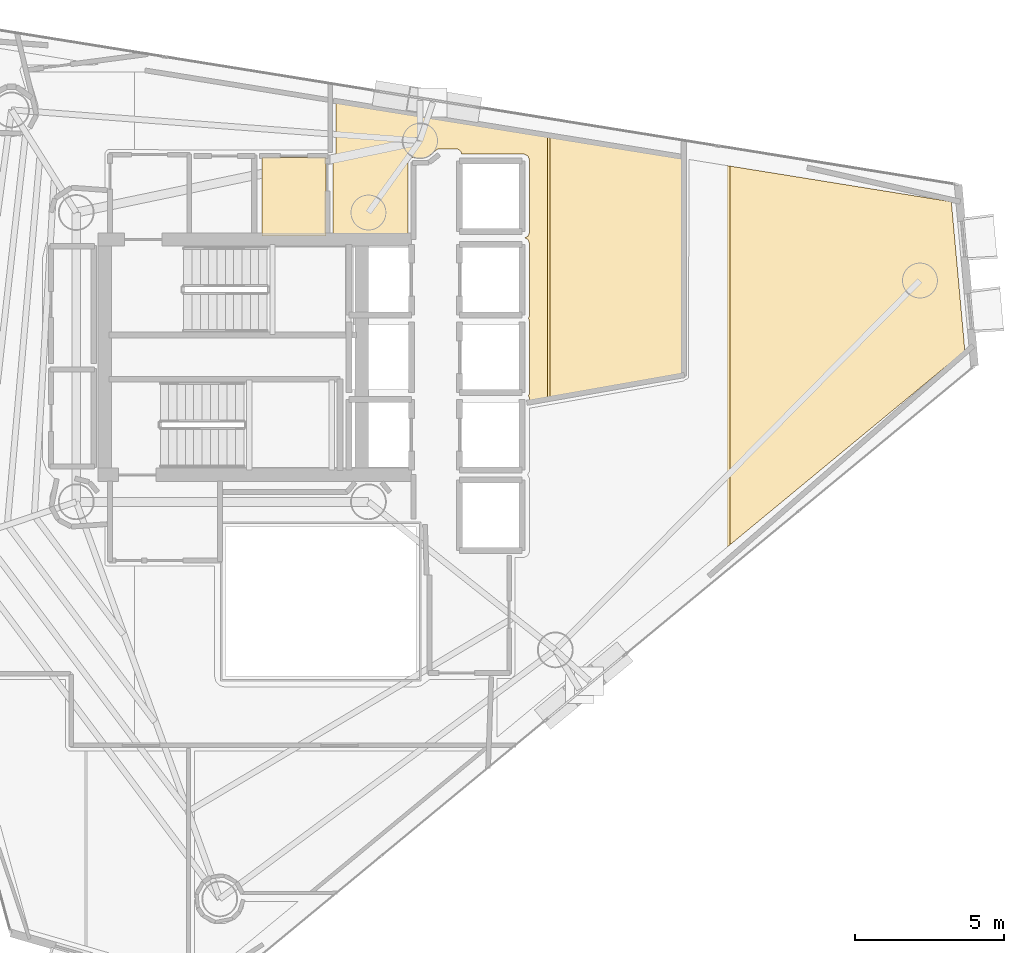
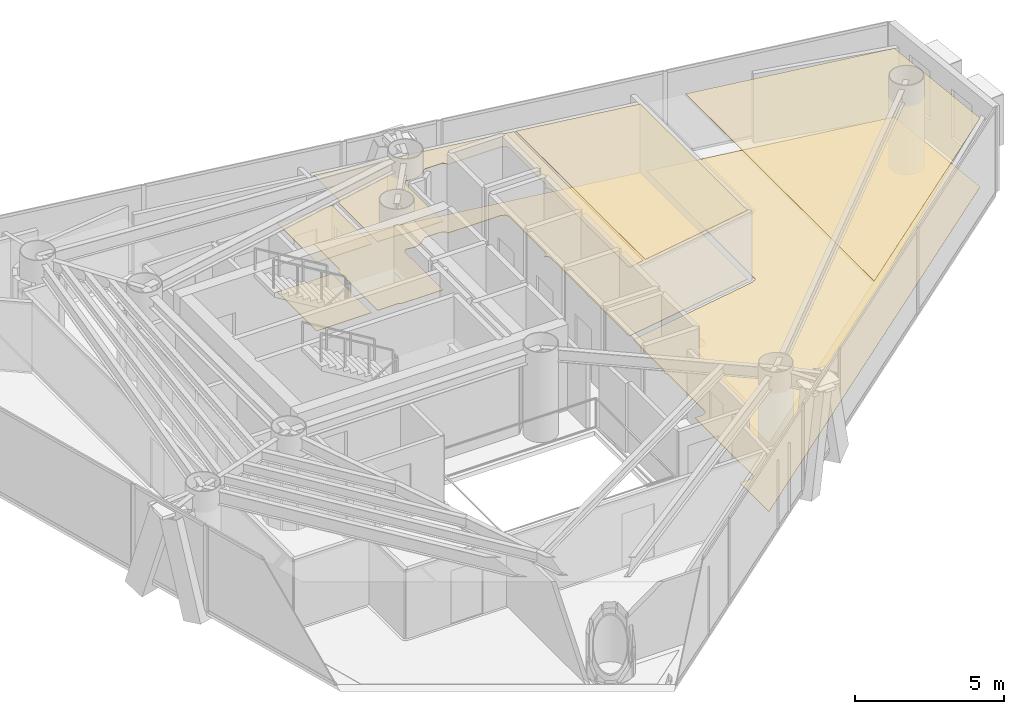
# One storey, part 21 of 21: 7 coverings.
"""IFC4 building model written with IfcOpenShell, lengths in metres."""

import ifcopenshell
import ifcopenshell.guid

model = None  # the IFC model being written
_history = None  # IfcOwnerHistory: only IFC2X3 demands one
_inside = {}  # id of a spatial element -> (the spatial element, [elements in it])
_under = {}  # id of a project, library or spatial element -> (it, [spatial elements below it])
_declared = {}  # id of a project -> (the project, [libraries it declares])
_typed = {}  # id of a type object -> (the type object, [elements of that type])
_made_of = {}  # id of a material, layer set ... -> (it, [elements and type objects made of it])


def new_model(schema):
    """Start an empty IFC model of exactly this schema.

    Asked for "IFC4X3", IfcOpenShell would pick the latest addendum, in which some entities
    have other attributes; the version numbers below select the first issue.
    IFC2X3 requires an IfcOwnerHistory on every rooted entity: one is made here for all.
    """
    global model, _history
    if schema == "IFC4X3":
        model = ifcopenshell.file(schema_version=(4, 3, 0, 0))
    else:
        model = ifcopenshell.file(schema=schema)
    _inside.clear()
    _under.clear()
    _declared.clear()
    _typed.clear()
    _made_of.clear()
    _history = None
    if model.schema == "IFC2X3":
        org = make("IfcOrganization", Name="unknown")
        user = make(
            "IfcPersonAndOrganization",
            ThePerson=make("IfcPerson", FamilyName="unknown"),
            TheOrganization=org,
        )
        app = make(
            "IfcApplication",
            ApplicationDeveloper=org,
            Version="unknown",
            ApplicationFullName="unknown",
            ApplicationIdentifier="unknown",
        )
        _history = make(
            "IfcOwnerHistory",
            OwningUser=user,
            OwningApplication=app,
            ChangeAction="ADDED",
            CreationDate=0,
        )
    return model


def make(cls, **values):
    """One entity of the class cls with the attributes given. An attribute that is None is left unset."""
    return model.create_entity(
        cls, **{name: value for name, value in values.items() if value is not None}
    )


def rooted(cls, **values):
    """An entity with a GlobalId (a new one), such as an element, a storey or a relation."""
    return make(cls, GlobalId=ifcopenshell.guid.new(), OwnerHistory=_history, **values)


def si_unit(unit_type, name, prefix=None):
    """IfcSIUnit, for example si_unit("LENGTHUNIT", "METRE", prefix="MILLI")."""
    return make("IfcSIUnit", UnitType=unit_type, Prefix=prefix, Name=name)


def assignment(units):
    """IfcUnitAssignment: the units of a project."""
    return None if units is None else make("IfcUnitAssignment", Units=units)


def point(xyz):
    """IfcCartesianPoint."""
    return None if xyz is None else make("IfcCartesianPoint", Coordinates=xyz)


def direction(xyz):
    """IfcDirection."""
    return None if xyz is None else make("IfcDirection", DirectionRatios=xyz)


def frame(location, z_axis=None, x_axis=None):
    """IfcAxis2Placement3D, a coordinate frame: its origin and axes. An axis left out is left unset."""
    return make(
        "IfcAxis2Placement3D",
        Location=point(location),
        Axis=direction(z_axis),
        RefDirection=direction(x_axis),
    )


def origin():
    """The frame at (0, 0, 0) with its axes left unset."""
    return frame((0.0, 0.0, 0.0))


def place(relative_to, where):
    """IfcLocalPlacement: puts the frame where relative to a parent placement (None: the world)."""
    return make(
        "IfcLocalPlacement", PlacementRelTo=relative_to, RelativePlacement=where
    )


def context(
    kind, dimensions, precision=None, world=None, true_north=None, identifier=None
):
    """IfcGeometricRepresentationContext, for example the 3D "Model" context."""
    return make(
        "IfcGeometricRepresentationContext",
        ContextIdentifier=identifier,
        ContextType=kind,
        CoordinateSpaceDimension=dimensions,
        Precision=precision,
        WorldCoordinateSystem=world,
        TrueNorth=true_north,
    )


def subcontext(parent, identifier, kind, view, scale=None):
    """IfcGeometricRepresentationSubContext, for example "Body" below "Model"."""
    return make(
        "IfcGeometricRepresentationSubContext",
        ContextIdentifier=identifier,
        ContextType=kind,
        ParentContext=parent,
        TargetScale=scale,
        TargetView=view,
    )


def project(units=None, contexts=None):
    """IfcProject with its units and contexts."""
    return rooted(
        "IfcProject",
        Name="project",
        RepresentationContexts=contexts,
        UnitsInContext=assignment(units),
    )


def spatial(cls, under=None, at=None, **own):
    """A site, building, storey or space (cls), placed at a placement, below another one or the project."""
    s = rooted(cls, ObjectPlacement=at, **own)
    if under is not None:
        _under.setdefault(under.id(), (under, []))[1].append(s)
    return s


def polyline(points):
    """IfcPolyline through the points."""
    return make("IfcPolyline", Points=[point(p) for p in points])


def outline(outer, holes=None, kind="AREA"):
    """IfcArbitraryClosedProfileDef: a profile drawn as a closed curve; with holes, ...WithVoids."""
    if holes is None:
        return make("IfcArbitraryClosedProfileDef", ProfileType=kind, OuterCurve=outer)
    return make(
        "IfcArbitraryProfileDefWithVoids",
        ProfileType=kind,
        OuterCurve=outer,
        InnerCurves=holes,
    )


def extrude(swept, where, along, depth):
    """IfcExtrudedAreaSolid: the profile swept, set in the frame where, extruded along a direction by depth."""
    return make(
        "IfcExtrudedAreaSolid",
        SweptArea=swept,
        Position=where,
        ExtrudedDirection=direction(along),
        Depth=depth,
    )


def shape(context_of_items, identifier, shape_type, items):
    """IfcShapeRepresentation: the items that make up one representation, for example the "Body"."""
    return make(
        "IfcShapeRepresentation",
        ContextOfItems=context_of_items,
        RepresentationIdentifier=identifier,
        RepresentationType=shape_type,
        Items=items,
    )


def material(Name=None, Category=None):
    """IfcMaterial."""
    return make("IfcMaterial", Name=Name, Category=Category)


def layer(
    of_material, thickness, ventilated=None, Name=None, Category=None, Priority=None
):
    """IfcMaterialLayer: one layer of a wall or slab, of a material (None: an air gap)."""
    return make(
        "IfcMaterialLayer",
        Material=of_material,
        LayerThickness=thickness,
        IsVentilated=ventilated,
        Name=Name,
        Category=Category,
        Priority=Priority,
    )


def layer_set(layers, Name=None):
    """IfcMaterialLayerSet."""
    return make("IfcMaterialLayerSet", MaterialLayers=layers, LayerSetName=Name)


def made_of(thing, what):
    """Note that an element or type object is made of a material, layer set ...; save() writes the relation."""
    if what is not None:
        _made_of.setdefault(what.id(), (what, []))[1].append(thing)
    return thing


def type_object(cls, material=None, **own):
    """A type object (cls), such as IfcWallType, which elements share."""
    return made_of(rooted(cls, **own), material)


def element(
    cls,
    number,
    at=None,
    inside=None,
    cuts=None,
    type_object=None,
    material=None,
    context=None,
    identifier="Body",
    shape_type=None,
    held_by="IfcProductDefinitionShape",
    body=None,
    shapes=None,
    **own,
):
    """One element of the class cls, such as IfcWall. Its Tag is "e" and its number.

    at: its placement. inside: the storey or other place that contains it. cuts: it is an
    opening in that element (IfcRelVoidsElement). A single representation is given by context,
    identifier, shape_type and body (its items); several are given by shapes. held_by: the class
    of the entity that holds the representations. save() writes the other relations.
    """
    e = rooted(cls, Tag="e%d" % number, ObjectPlacement=at, **own)
    if body is not None:
        shapes = [shape(context, identifier, shape_type, body)]
    if shapes is not None:
        e.Representation = make(held_by, Representations=shapes)
    if inside is not None:
        _inside.setdefault(inside.id(), (inside, []))[1].append(e)
    if cuts is not None:
        rooted(
            "IfcRelVoidsElement", RelatingBuildingElement=cuts, RelatedOpeningElement=e
        )
    if type_object is not None:
        _typed.setdefault(type_object.id(), (type_object, []))[1].append(e)
    return made_of(e, material)


def aggregate(whole, parts):
    """IfcRelAggregates: a whole, such as a stair, and the parts it consists of."""
    return rooted("IfcRelAggregates", RelatingObject=whole, RelatedObjects=parts)


def save(model, path):
    """Write the relations noted so far, then the file.

    IfcRelAggregates (storeys below a building ...), IfcRelContainedInSpatialStructure (elements
    in a storey), IfcRelDefinesByType, IfcRelAssociatesMaterial and IfcRelDeclares: one each for
    every whole, place, type object, material and project.
    """
    for whole, parts in _under.values():
        aggregate(whole, parts)
    for where, things in _inside.values():
        rooted(
            "IfcRelContainedInSpatialStructure",
            RelatedElements=things,
            RelatingStructure=where,
        )
    for kind, things in _typed.values():
        rooted("IfcRelDefinesByType", RelatedObjects=things, RelatingType=kind)
    for what, things in _made_of.values():
        rooted("IfcRelAssociatesMaterial", RelatedObjects=things, RelatingMaterial=what)
    for by, libraries in _declared.values():
        rooted("IfcRelDeclares", RelatingContext=by, RelatedDefinitions=libraries)
    model.write(path)


model = new_model("IFC4")

# Units and contexts
model_context = context("Model", 3, precision=1e-05, world=origin(), true_north=direction((0.0, 1.0)))
body_context = subcontext(model_context, "Body", "Model", "MODEL_VIEW")
ifc_project = project(units=[si_unit("LENGTHUNIT", "METRE"), si_unit("AREAUNIT", "SQUARE_METRE"), si_unit("VOLUMEUNIT", "CUBIC_METRE"), si_unit("PLANEANGLEUNIT", "RADIAN"), si_unit("MASSUNIT", "GRAM", prefix="KILO")], contexts=[model_context])

# Site, building, storey
site_placement = place(None, origin())
site = spatial("IfcSite", under=ifc_project, at=site_placement, CompositionType="ELEMENT")
building_placement = place(site_placement, origin())
building = spatial("IfcBuilding", under=site, at=building_placement, Name="Qianvela Tower", CompositionType="ELEMENT")
storey_placement = place(building_placement, frame((0.0, 0.0, 211.39990234375)))
storey = spatial("IfcBuildingStorey", under=building, at=storey_placement, Name="L54", CompositionType="ELEMENT", Elevation=211.39990234375)

# Coverings
ifc_material_1 = material(Name="Perforated Mineral Acoustic Ceiling Tile")
ifc_layer_1 = layer(ifc_material_1, 0.02490234375)
ifc_layer_set_1 = layer_set([ifc_layer_1], Name="Perforated Mineral Acoustic Ceiling Tile")
covering_type_1 = type_object("IfcCoveringType", Name="COV-CEIL-ACOUSTIC-25", PredefinedType="CEILING", material=ifc_layer_set_1)
covering_1_placement = place(storey_placement, frame((0.0, 0.0, 2.815185546875)))
element("IfcCovering", 1, at=covering_1_placement, inside=storey, type_object=covering_type_1, Name="L54 Acoustic Ceiling L54 Core Tea Pantry", PredefinedType="CEILING", context=body_context, shape_type="SweptSolid", body=[
    extrude(outline(polyline([(36.969970703125, 32.760009765625), (34.830078125, 32.760009765625), (34.830078125, 35.39990234375), (36.969970703125, 35.39990234375), (36.969970703125, 32.760009765625)])), origin(), (0.0, 0.0, 1.0), 0.02490234375),
])
covering_2_placement = place(storey_placement, frame((0.0, 0.0, 2.815185546875)))
element("IfcCovering", 2, at=covering_2_placement, inside=storey, type_object=covering_type_1, Name="L54 Acoustic Ceiling Bay 1 Shared Communal Kitchen L54-03", PredefinedType="CEILING", context=body_context, shape_type="SweptSolid", body=[
    extrude(outline(polyline([(43.722412109375, 32.739013671875), (43.729248046875, 32.74267578125), (43.73583984375, 32.746826171875), (43.741943359375, 32.751953125), (43.74755859375, 32.757568359375), (43.75244140625, 32.763427734375), (43.7568359375, 32.77001953125), (43.760498046875, 32.777099609375), (43.763427734375, 32.7841796875), (43.79541015625, 32.873046875), (43.7978515625, 32.8818359375), (43.799560546875, 32.890869140625), (43.800048828125, 32.89990234375), (43.800048828125, 35.300048828125), (43.799560546875, 35.30908203125), (43.7978515625, 35.318115234375), (43.79541015625, 35.326904296875), (43.763427734375, 35.415771484375), (43.760498046875, 35.423095703125), (43.7568359375, 35.429931640625), (43.75244140625, 35.4365234375), (43.74755859375, 35.4423828125), (43.741943359375, 35.447998046875), (43.73583984375, 35.453125), (43.729248046875, 35.45751953125), (43.722412109375, 35.461181640625), (43.6142578125, 35.51220703125), (43.607666015625, 35.51513671875), (43.60107421875, 35.51708984375), (43.593994140625, 35.518798828125), (43.587158203125, 35.519775390625), (43.580078125, 35.52001953125), (41.515625, 35.52001953125), (41.513916015625, 35.554931640625), (41.512939453125, 35.563232421875), (41.51123046875, 35.5712890625), (41.508544921875, 35.5791015625), (41.50537109375, 35.5869140625), (41.501220703125, 35.593994140625), (41.496337890625, 35.6005859375), (41.49072265625, 35.60693359375), (41.484619140625, 35.612548828125), (41.426513671875, 35.660400390625), (41.420166015625, 35.6650390625), (41.413330078125, 35.6689453125), (41.40625, 35.67236328125), (41.39892578125, 35.675048828125), (41.391357421875, 35.677001953125), (41.383544921875, 35.677978515625), (41.375732421875, 35.678466796875), (40.750244140625, 35.679931640625), (40.742919921875, 35.6796875), (40.7353515625, 35.6787109375), (40.728271484375, 35.677001953125), (40.72119140625, 35.674560546875), (40.71435546875, 35.671630859375), (40.7080078125, 35.668212890625), (40.701904296875, 35.663818359375), (40.361083984375, 35.406982421875), (40.127685546875, 35.360595703125), (39.859375, 35.396484375), (39.85107421875, 35.397216796875), (39.843017578125, 35.397216796875), (39.8349609375, 35.396240234375), (39.826904296875, 35.394287109375), (39.819091796875, 35.391845703125), (39.811767578125, 35.388427734375), (39.8046875, 35.38427734375), (39.798095703125, 35.37939453125), (39.7919921875, 35.3740234375), (39.78662109375, 35.367919921875), (39.78173828125, 35.361328125), (39.733154296875, 35.287841796875), (39.729248046875, 35.28125), (39.72607421875, 35.274169921875), (39.723388671875, 35.266845703125), (39.721435546875, 35.25927734375), (39.720458984375, 35.25146484375), (39.719970703125, 35.243896484375), (39.719970703125, 32.719970703125), (38.126953125, 32.719970703125), (38.051025390625, 32.760009765625), (38.0439453125, 32.763427734375), (38.03662109375, 32.765869140625), (38.029296875, 32.767822265625), (38.021484375, 32.768798828125), (38.013916015625, 32.769287109375), (37.2099609375, 32.77001953125), (37.2099609375, 35.4150390625), (37.210693359375, 35.4150390625), (37.218505859375, 35.417236328125), (37.226318359375, 35.420166015625), (37.233642578125, 35.423583984375), (37.240478515625, 35.42822265625), (37.2470703125, 35.433349609375), (37.2529296875, 35.43896484375), (37.25830078125, 35.4453125), (37.262939453125, 35.4521484375), (37.298095703125, 35.510986328125), (37.301513671875, 35.517333984375), (37.304443359375, 35.52392578125), (37.306640625, 35.53076171875), (37.308349609375, 35.537841796875), (37.309326171875, 35.544921875), (37.3095703125, 35.552001953125), (37.31005859375, 37.237548828125), (44.408203125, 36.093994140625), (44.408203125, 27.342041015625), (43.798583984375, 27.234619140625), (43.79736328125, 27.32861328125), (43.796875, 27.336181640625), (43.795654296875, 27.34375), (43.793701171875, 27.351318359375), (43.791015625, 27.3583984375), (43.78759765625, 27.365478515625), (43.7666015625, 27.404296875), (43.793701171875, 27.468994140625), (43.79638671875, 27.476318359375), (43.79833984375, 27.484130859375), (43.799560546875, 27.491943359375), (43.800048828125, 27.5), (43.800048828125, 29.89990234375), (43.799560546875, 29.907958984375), (43.79833984375, 29.915771484375), (43.79638671875, 29.923583984375), (43.793701171875, 29.93115234375), (43.7646484375, 30.0), (43.793701171875, 30.06884765625), (43.79638671875, 30.076416015625), (43.79833984375, 30.084228515625), (43.799560546875, 30.092041015625), (43.800048828125, 30.10009765625), (43.800048828125, 32.5), (43.799560546875, 32.509033203125), (43.7978515625, 32.518310546875), (43.79541015625, 32.527099609375), (43.763427734375, 32.61572265625), (43.760498046875, 32.623046875), (43.7568359375, 32.6298828125), (43.75244140625, 32.636474609375), (43.74755859375, 32.642578125), (43.741943359375, 32.648193359375), (43.73583984375, 32.653076171875), (43.729248046875, 32.657470703125), (43.722412109375, 32.6611328125), (43.640380859375, 32.699951171875), (43.722412109375, 32.739013671875)])), origin(), (0.0, 0.0, 1.0), 0.02490234375),
])
covering_3_placement = place(storey_placement, frame((0.0, 0.0, 2.815185546875)))
element("IfcCovering", 3, at=covering_3_placement, inside=storey, type_object=covering_type_1, Name="L54 Acoustic Ceiling Bay 2 Shared Communal Kitchen L54-03", PredefinedType="CEILING", context=body_context, shape_type="SweptSolid", body=[
    extrude(outline(polyline([(48.924072265625, 35.3662109375), (48.924072265625, 28.13818359375), (44.48828125, 27.356201171875), (44.48828125, 36.0810546875), (48.924072265625, 35.3662109375)])), origin(), (0.0, 0.0, 1.0), 0.02490234375),
])
covering_4_placement = place(storey_placement, frame((0.0, 0.0, 2.815185546875)))
element("IfcCovering", 4, at=covering_4_placement, inside=storey, type_object=covering_type_1, Name="L54 Acoustic Ceiling Bay 2 Social Galley Kitchen L54-06", PredefinedType="CEILING", context=body_context, shape_type="SweptSolid", body=[
    extrude(outline(polyline([(57.94921875, 33.912109375), (58.402099609375, 28.9130859375), (50.52978515625, 22.4111328125), (50.52978515625, 35.107666015625), (57.94921875, 33.912109375)])), origin(), (0.0, 0.0, 1.0), 0.02490234375),
])
ifc_material_2 = material(Name="Engineered Acoustic Oak Timber Flooring", Category="wood")
ifc_layer_2 = layer(ifc_material_2, 0.02001953125)
ifc_layer_set_2 = layer_set([ifc_layer_2], Name="Engineered Acoustic Oak Timber Flooring")
covering_type_2 = type_object("IfcCoveringType", Name="COV-FLOOR-OAK-20", PredefinedType="FLOORING", material=ifc_layer_set_2)
covering_5_placement = place(storey_placement, origin())
element("IfcCovering", 5, at=covering_5_placement, inside=storey, type_object=covering_type_2, Name="L54 Finish Flooring L54 Core Tea Pantry", PredefinedType="FLOORING", context=body_context, shape_type="SweptSolid", body=[
    extrude(outline(polyline([(36.969970703125, 32.760009765625), (34.830078125, 32.760009765625), (34.830078125, 35.39990234375), (36.969970703125, 35.39990234375), (36.969970703125, 32.760009765625)])), origin(), (0.0, 0.0, 1.0), 0.02001953125),
])
covering_6_placement = place(storey_placement, origin())
element("IfcCovering", 6, at=covering_6_placement, inside=storey, type_object=covering_type_2, Name="L54 Finish Flooring Shared Communal Kitchen L54-03", PredefinedType="FLOORING", context=body_context, shape_type="SweptSolid", body=[
    extrude(outline(polyline([(43.640380859375, 32.699951171875), (43.722412109375, 32.739013671875), (43.729248046875, 32.74267578125), (43.73583984375, 32.746826171875), (43.741943359375, 32.751953125), (43.74755859375, 32.757568359375), (43.75244140625, 32.763427734375), (43.7568359375, 32.77001953125), (43.760498046875, 32.777099609375), (43.763427734375, 32.7841796875), (43.79541015625, 32.873046875), (43.7978515625, 32.8818359375), (43.799560546875, 32.890869140625), (43.800048828125, 32.89990234375), (43.800048828125, 35.300048828125), (43.799560546875, 35.30908203125), (43.7978515625, 35.318115234375), (43.79541015625, 35.326904296875), (43.763427734375, 35.415771484375), (43.760498046875, 35.423095703125), (43.7568359375, 35.429931640625), (43.75244140625, 35.4365234375), (43.74755859375, 35.4423828125), (43.741943359375, 35.447998046875), (43.73583984375, 35.453125), (43.729248046875, 35.45751953125), (43.722412109375, 35.461181640625), (43.6142578125, 35.51220703125), (43.607666015625, 35.51513671875), (43.60107421875, 35.51708984375), (43.593994140625, 35.518798828125), (43.587158203125, 35.519775390625), (43.580078125, 35.52001953125), (41.515625, 35.52001953125), (41.513916015625, 35.554931640625), (41.512939453125, 35.563232421875), (41.51123046875, 35.5712890625), (41.508544921875, 35.5791015625), (41.50537109375, 35.5869140625), (41.501220703125, 35.593994140625), (41.496337890625, 35.6005859375), (41.49072265625, 35.60693359375), (41.484619140625, 35.612548828125), (41.426513671875, 35.660400390625), (41.420166015625, 35.6650390625), (41.413330078125, 35.6689453125), (41.40625, 35.67236328125), (41.39892578125, 35.675048828125), (41.391357421875, 35.677001953125), (41.383544921875, 35.677978515625), (41.375732421875, 35.678466796875), (40.750244140625, 35.679931640625), (40.742919921875, 35.6796875), (40.7353515625, 35.6787109375), (40.728271484375, 35.677001953125), (40.72119140625, 35.674560546875), (40.71435546875, 35.671630859375), (40.7080078125, 35.668212890625), (40.701904296875, 35.663818359375), (40.361083984375, 35.406982421875), (40.127685546875, 35.360595703125), (39.859375, 35.396484375), (39.85107421875, 35.397216796875), (39.843017578125, 35.397216796875), (39.8349609375, 35.396240234375), (39.826904296875, 35.394287109375), (39.819091796875, 35.391845703125), (39.811767578125, 35.388427734375), (39.8046875, 35.38427734375), (39.798095703125, 35.37939453125), (39.7919921875, 35.3740234375), (39.78662109375, 35.367919921875), (39.78173828125, 35.361328125), (39.733154296875, 35.287841796875), (39.729248046875, 35.28125), (39.72607421875, 35.274169921875), (39.723388671875, 35.266845703125), (39.721435546875, 35.25927734375), (39.720458984375, 35.25146484375), (39.719970703125, 35.243896484375), (39.719970703125, 32.719970703125), (38.126953125, 32.719970703125), (38.051025390625, 32.760009765625), (38.0439453125, 32.763427734375), (38.03662109375, 32.765869140625), (38.029296875, 32.767822265625), (38.021484375, 32.768798828125), (38.013916015625, 32.769287109375), (37.2099609375, 32.77001953125), (37.2099609375, 35.4150390625), (37.210693359375, 35.4150390625), (37.218505859375, 35.417236328125), (37.226318359375, 35.420166015625), (37.233642578125, 35.423583984375), (37.240478515625, 35.42822265625), (37.2470703125, 35.433349609375), (37.2529296875, 35.43896484375), (37.25830078125, 35.4453125), (37.262939453125, 35.4521484375), (37.298095703125, 35.510986328125), (37.301513671875, 35.517333984375), (37.304443359375, 35.52392578125), (37.306640625, 35.53076171875), (37.308349609375, 35.537841796875), (37.309326171875, 35.544921875), (37.3095703125, 35.552001953125), (37.31005859375, 37.237548828125), (48.924072265625, 35.3662109375), (48.924072265625, 28.13818359375), (43.798583984375, 27.234619140625), (43.79736328125, 27.32861328125), (43.796875, 27.336181640625), (43.795654296875, 27.34375), (43.793701171875, 27.351318359375), (43.791015625, 27.3583984375), (43.78759765625, 27.365478515625), (43.7666015625, 27.404296875), (43.793701171875, 27.468994140625), (43.79638671875, 27.476318359375), (43.79833984375, 27.484130859375), (43.799560546875, 27.491943359375), (43.800048828125, 27.5), (43.800048828125, 29.89990234375), (43.799560546875, 29.907958984375), (43.79833984375, 29.915771484375), (43.79638671875, 29.923583984375), (43.793701171875, 29.93115234375), (43.7646484375, 30.0), (43.793701171875, 30.06884765625), (43.79638671875, 30.076416015625), (43.79833984375, 30.084228515625), (43.799560546875, 30.092041015625), (43.800048828125, 30.10009765625), (43.800048828125, 32.5), (43.799560546875, 32.509033203125), (43.7978515625, 32.518310546875), (43.79541015625, 32.527099609375), (43.763427734375, 32.61572265625), (43.760498046875, 32.623046875), (43.7568359375, 32.6298828125), (43.75244140625, 32.636474609375), (43.74755859375, 32.642578125), (43.741943359375, 32.648193359375), (43.73583984375, 32.653076171875), (43.729248046875, 32.657470703125), (43.722412109375, 32.6611328125), (43.640380859375, 32.699951171875)])), origin(), (0.0, 0.0, 1.0), 0.02001953125),
])
covering_7_placement = place(storey_placement, origin())
element("IfcCovering", 7, at=covering_7_placement, inside=storey, type_object=covering_type_2, Name="L54 Finish Flooring Social Galley Kitchen L54-06", PredefinedType="FLOORING", context=body_context, shape_type="SweptSolid", body=[
    extrude(outline(polyline([(43.73828125, 24.75244140625), (43.739501953125, 24.754150390625), (43.789794921875, 24.8486328125), (43.793212890625, 24.855712890625), (43.7958984375, 24.863037109375), (43.7978515625, 24.87060546875), (43.798828125, 24.87841796875), (43.79931640625, 24.88623046875), (43.800048828125, 26.987060546875), (48.959716796875, 27.896728515625), (48.96728515625, 27.8984375), (48.974609375, 27.90087890625), (48.981689453125, 27.904052734375), (48.98828125, 27.90771484375), (48.99462890625, 27.912109375), (49.00048828125, 27.9169921875), (49.005859375, 27.922607421875), (49.010498046875, 27.928466796875), (49.014892578125, 27.93505859375), (49.01806640625, 27.94091796875), (49.08642578125, 27.966552734375), (49.093994140625, 27.9697265625), (49.100830078125, 27.9736328125), (49.107421875, 27.978271484375), (49.113525390625, 27.983642578125), (49.119140625, 27.989501953125), (49.1240234375, 27.995849609375), (49.12841796875, 28.002685546875), (49.1318359375, 28.010009765625), (49.134765625, 28.017578125), (49.13671875, 28.025390625), (49.137939453125, 28.033203125), (49.138427734375, 28.04150390625), (49.14599609375, 35.33056640625), (57.94921875, 33.912109375), (58.402099609375, 28.9130859375), (42.709716796875, 15.952880859375), (42.70751953125, 17.920166015625), (43.157958984375, 17.92041015625), (43.165771484375, 17.9208984375), (43.173583984375, 17.921875), (43.18115234375, 17.923828125), (43.1884765625, 17.926513671875), (43.195556640625, 17.9296875), (43.202392578125, 17.933837890625), (43.20849609375, 17.9384765625), (43.21435546875, 17.94384765625), (43.2861328125, 18.015625), (43.29150390625, 18.021484375), (43.296142578125, 18.027587890625), (43.30029296875, 18.034423828125), (43.303466796875, 18.04150390625), (43.30615234375, 18.048828125), (43.30810546875, 18.056640625), (43.30908203125, 18.064208984375), (43.3095703125, 18.072265625), (43.309326171875, 21.980712890625), (43.60791015625, 21.982666015625), (43.615478515625, 21.983154296875), (43.623291015625, 21.984375), (43.630859375, 21.986083984375), (43.637939453125, 21.98876953125), (43.64501953125, 21.9921875), (43.716796875, 22.030517578125), (43.723388671875, 22.034423828125), (43.729736328125, 22.039306640625), (43.735595703125, 22.04443359375), (43.74072265625, 22.05029296875), (43.74560546875, 22.056640625), (43.74951171875, 22.063232421875), (43.787841796875, 22.135009765625), (43.791259765625, 22.14208984375), (43.7939453125, 22.1494140625), (43.7958984375, 22.156982421875), (43.796875, 22.164794921875), (43.79736328125, 22.172607421875), (43.79931640625, 24.61376953125), (43.799072265625, 24.62060546875), (43.798095703125, 24.627685546875), (43.79638671875, 24.634765625), (43.79443359375, 24.641357421875), (43.79150390625, 24.64794921875), (43.751220703125, 24.733154296875), (43.74755859375, 24.739990234375), (43.743408203125, 24.74658203125), (43.73828125, 24.75244140625)])), origin(), (0.0, 0.0, 1.0), 0.02001953125),
])

save(model, "model.ifc")
